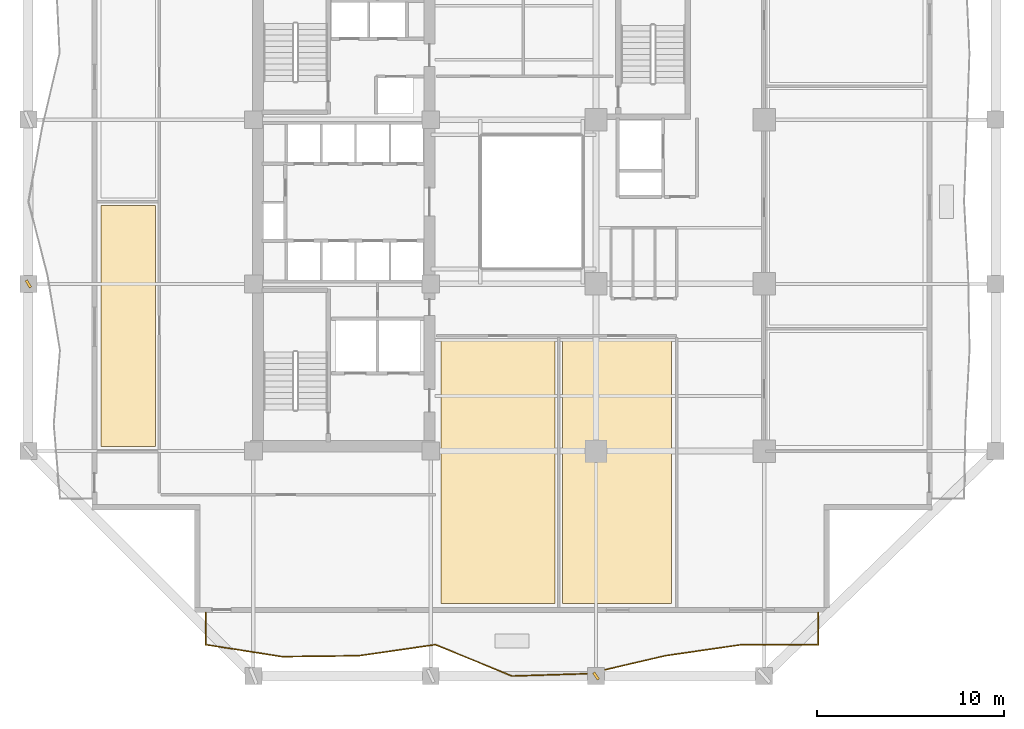
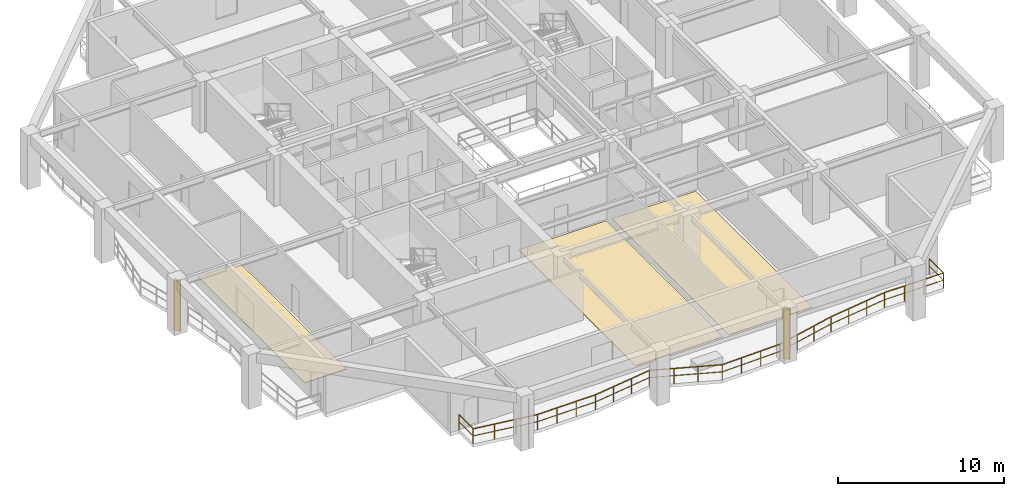
# One storey, part 7 of 12: 3 coverings, 2 shading devices, 1 railing.
"""IFC4 building model written with IfcOpenShell, lengths in metres."""

import ifcopenshell
import ifcopenshell.guid

model = None  # the IFC model being written
_history = None  # IfcOwnerHistory: only IFC2X3 demands one
_inside = {}  # id of a spatial element -> (the spatial element, [elements in it])
_under = {}  # id of a project, library or spatial element -> (it, [spatial elements below it])
_declared = {}  # id of a project -> (the project, [libraries it declares])
_typed = {}  # id of a type object -> (the type object, [elements of that type])
_made_of = {}  # id of a material, layer set ... -> (it, [elements and type objects made of it])


def new_model(schema):
    """Start an empty IFC model of exactly this schema.

    Asked for "IFC4X3", IfcOpenShell would pick the latest addendum, in which some entities
    have other attributes; the version numbers below select the first issue.
    IFC2X3 requires an IfcOwnerHistory on every rooted entity: one is made here for all.
    """
    global model, _history
    if schema == "IFC4X3":
        model = ifcopenshell.file(schema_version=(4, 3, 0, 0))
    else:
        model = ifcopenshell.file(schema=schema)
    _inside.clear()
    _under.clear()
    _declared.clear()
    _typed.clear()
    _made_of.clear()
    _history = None
    if model.schema == "IFC2X3":
        org = make("IfcOrganization", Name="unknown")
        user = make(
            "IfcPersonAndOrganization",
            ThePerson=make("IfcPerson", FamilyName="unknown"),
            TheOrganization=org,
        )
        app = make(
            "IfcApplication",
            ApplicationDeveloper=org,
            Version="unknown",
            ApplicationFullName="unknown",
            ApplicationIdentifier="unknown",
        )
        _history = make(
            "IfcOwnerHistory",
            OwningUser=user,
            OwningApplication=app,
            ChangeAction="ADDED",
            CreationDate=0,
        )
    return model


def make(cls, **values):
    """One entity of the class cls with the attributes given. An attribute that is None is left unset."""
    return model.create_entity(
        cls, **{name: value for name, value in values.items() if value is not None}
    )


def rooted(cls, **values):
    """An entity with a GlobalId (a new one), such as an element, a storey or a relation."""
    return make(cls, GlobalId=ifcopenshell.guid.new(), OwnerHistory=_history, **values)


def si_unit(unit_type, name, prefix=None):
    """IfcSIUnit, for example si_unit("LENGTHUNIT", "METRE", prefix="MILLI")."""
    return make("IfcSIUnit", UnitType=unit_type, Prefix=prefix, Name=name)


def assignment(units):
    """IfcUnitAssignment: the units of a project."""
    return None if units is None else make("IfcUnitAssignment", Units=units)


def point(xyz):
    """IfcCartesianPoint."""
    return None if xyz is None else make("IfcCartesianPoint", Coordinates=xyz)


def direction(xyz):
    """IfcDirection."""
    return None if xyz is None else make("IfcDirection", DirectionRatios=xyz)


def frame(location, z_axis=None, x_axis=None):
    """IfcAxis2Placement3D, a coordinate frame: its origin and axes. An axis left out is left unset."""
    return make(
        "IfcAxis2Placement3D",
        Location=point(location),
        Axis=direction(z_axis),
        RefDirection=direction(x_axis),
    )


def frame_2d(location, x_axis=None):
    """IfcAxis2Placement2D, a coordinate frame in the plane: its origin and x axis."""
    return make(
        "IfcAxis2Placement2D", Location=point(location), RefDirection=direction(x_axis)
    )


def origin():
    """The frame at (0, 0, 0) with its axes left unset."""
    return frame((0.0, 0.0, 0.0))


def origin_2d():
    """The frame at (0, 0) in the plane with its x axis left unset."""
    return frame_2d((0.0, 0.0))


def place(relative_to, where):
    """IfcLocalPlacement: puts the frame where relative to a parent placement (None: the world)."""
    return make(
        "IfcLocalPlacement", PlacementRelTo=relative_to, RelativePlacement=where
    )


def context(
    kind, dimensions, precision=None, world=None, true_north=None, identifier=None
):
    """IfcGeometricRepresentationContext, for example the 3D "Model" context."""
    return make(
        "IfcGeometricRepresentationContext",
        ContextIdentifier=identifier,
        ContextType=kind,
        CoordinateSpaceDimension=dimensions,
        Precision=precision,
        WorldCoordinateSystem=world,
        TrueNorth=true_north,
    )


def subcontext(parent, identifier, kind, view, scale=None):
    """IfcGeometricRepresentationSubContext, for example "Body" below "Model"."""
    return make(
        "IfcGeometricRepresentationSubContext",
        ContextIdentifier=identifier,
        ContextType=kind,
        ParentContext=parent,
        TargetScale=scale,
        TargetView=view,
    )


def project(units=None, contexts=None):
    """IfcProject with its units and contexts."""
    return rooted(
        "IfcProject",
        Name="project",
        RepresentationContexts=contexts,
        UnitsInContext=assignment(units),
    )


def spatial(cls, under=None, at=None, **own):
    """A site, building, storey or space (cls), placed at a placement, below another one or the project."""
    s = rooted(cls, ObjectPlacement=at, **own)
    if under is not None:
        _under.setdefault(under.id(), (under, []))[1].append(s)
    return s


def polyline(points):
    """IfcPolyline through the points."""
    return make("IfcPolyline", Points=[point(p) for p in points])


def profile(cls, at=None, kind="AREA", **sizes):
    """A parametric profile (cls). Its sizes go by their IFC names, for example OverallWidth=200.0."""
    return make(cls, ProfileType=kind, Position=at, **sizes)


def rectangle(**sizes):
    """IfcRectangleProfileDef."""
    return profile("IfcRectangleProfileDef", **sizes)


def outline(outer, holes=None, kind="AREA"):
    """IfcArbitraryClosedProfileDef: a profile drawn as a closed curve; with holes, ...WithVoids."""
    if holes is None:
        return make("IfcArbitraryClosedProfileDef", ProfileType=kind, OuterCurve=outer)
    return make(
        "IfcArbitraryProfileDefWithVoids",
        ProfileType=kind,
        OuterCurve=outer,
        InnerCurves=holes,
    )


def extrude(swept, where, along, depth):
    """IfcExtrudedAreaSolid: the profile swept, set in the frame where, extruded along a direction by depth."""
    return make(
        "IfcExtrudedAreaSolid",
        SweptArea=swept,
        Position=where,
        ExtrudedDirection=direction(along),
        Depth=depth,
    )


def shape(context_of_items, identifier, shape_type, items):
    """IfcShapeRepresentation: the items that make up one representation, for example the "Body"."""
    return make(
        "IfcShapeRepresentation",
        ContextOfItems=context_of_items,
        RepresentationIdentifier=identifier,
        RepresentationType=shape_type,
        Items=items,
    )


def material(Name=None, Category=None):
    """IfcMaterial."""
    return make("IfcMaterial", Name=Name, Category=Category)


def layer(
    of_material, thickness, ventilated=None, Name=None, Category=None, Priority=None
):
    """IfcMaterialLayer: one layer of a wall or slab, of a material (None: an air gap)."""
    return make(
        "IfcMaterialLayer",
        Material=of_material,
        LayerThickness=thickness,
        IsVentilated=ventilated,
        Name=Name,
        Category=Category,
        Priority=Priority,
    )


def layer_set(layers, Name=None):
    """IfcMaterialLayerSet."""
    return make("IfcMaterialLayerSet", MaterialLayers=layers, LayerSetName=Name)


def made_of(thing, what):
    """Note that an element or type object is made of a material, layer set ...; save() writes the relation."""
    if what is not None:
        _made_of.setdefault(what.id(), (what, []))[1].append(thing)
    return thing


def type_object(cls, material=None, **own):
    """A type object (cls), such as IfcWallType, which elements share."""
    return made_of(rooted(cls, **own), material)


def element(
    cls,
    number,
    at=None,
    inside=None,
    cuts=None,
    type_object=None,
    material=None,
    context=None,
    identifier="Body",
    shape_type=None,
    held_by="IfcProductDefinitionShape",
    body=None,
    shapes=None,
    **own,
):
    """One element of the class cls, such as IfcWall. Its Tag is "e" and its number.

    at: its placement. inside: the storey or other place that contains it. cuts: it is an
    opening in that element (IfcRelVoidsElement). A single representation is given by context,
    identifier, shape_type and body (its items); several are given by shapes. held_by: the class
    of the entity that holds the representations. save() writes the other relations.
    """
    e = rooted(cls, Tag="e%d" % number, ObjectPlacement=at, **own)
    if body is not None:
        shapes = [shape(context, identifier, shape_type, body)]
    if shapes is not None:
        e.Representation = make(held_by, Representations=shapes)
    if inside is not None:
        _inside.setdefault(inside.id(), (inside, []))[1].append(e)
    if cuts is not None:
        rooted(
            "IfcRelVoidsElement", RelatingBuildingElement=cuts, RelatedOpeningElement=e
        )
    if type_object is not None:
        _typed.setdefault(type_object.id(), (type_object, []))[1].append(e)
    return made_of(e, material)


def aggregate(whole, parts):
    """IfcRelAggregates: a whole, such as a stair, and the parts it consists of."""
    return rooted("IfcRelAggregates", RelatingObject=whole, RelatedObjects=parts)


def save(model, path):
    """Write the relations noted so far, then the file.

    IfcRelAggregates (storeys below a building ...), IfcRelContainedInSpatialStructure (elements
    in a storey), IfcRelDefinesByType, IfcRelAssociatesMaterial and IfcRelDeclares: one each for
    every whole, place, type object, material and project.
    """
    for whole, parts in _under.values():
        aggregate(whole, parts)
    for where, things in _inside.values():
        rooted(
            "IfcRelContainedInSpatialStructure",
            RelatedElements=things,
            RelatingStructure=where,
        )
    for kind, things in _typed.values():
        rooted("IfcRelDefinesByType", RelatedObjects=things, RelatingType=kind)
    for what, things in _made_of.values():
        rooted("IfcRelAssociatesMaterial", RelatedObjects=things, RelatingMaterial=what)
    for by, libraries in _declared.values():
        rooted("IfcRelDeclares", RelatingContext=by, RelatedDefinitions=libraries)
    model.write(path)


model = new_model("IFC4")

# Units and contexts
model_context = context("Model", 3, precision=1e-05, world=origin(), true_north=direction((0.0, 1.0)))
body_context = subcontext(model_context, "Body", "Model", "MODEL_VIEW")
ifc_project = project(units=[si_unit("LENGTHUNIT", "METRE"), si_unit("AREAUNIT", "SQUARE_METRE"), si_unit("VOLUMEUNIT", "CUBIC_METRE"), si_unit("PLANEANGLEUNIT", "RADIAN"), si_unit("MASSUNIT", "GRAM", prefix="KILO")], contexts=[model_context])

# Site, building, storey
site_placement = place(None, origin())
site = spatial("IfcSite", under=ifc_project, at=site_placement, CompositionType="ELEMENT")
building_placement = place(site_placement, origin())
building = spatial("IfcBuilding", under=site, at=building_placement, Name="Kundavana Baori Tower", CompositionType="ELEMENT")
storey_placement = place(building_placement, frame((0.0, 0.0, 46.0)))
storey = spatial("IfcBuildingStorey", under=building, at=storey_placement, Name="L10", CompositionType="ELEMENT", Elevation=46.0)

# Coverings
ifc_material_1 = material(Name="Honed Kota Stone and Terrazzo Flooring", Category="masonry")
ifc_layer_1 = layer(ifc_material_1, 0.0400390625, Name="COV-FLR-TERR-40")
ifc_layer_set_1 = layer_set([ifc_layer_1], Name="Honed Kota Stone and Terrazzo Flooring")
covering_type_1 = type_object("IfcCoveringType", Name="COV-FLR-TERR-40", PredefinedType="FLOORING", material=ifc_layer_set_1)
covering_1_placement = place(storey_placement, origin())
element("IfcCovering", 1, at=covering_1_placement, inside=storey, type_object=covering_type_1, Name="L10 Room Finished Stone Flooring 1", PredefinedType="FLOORING", context=body_context, shape_type="SweptSolid", body=[
    extrude(outline(polyline([(7.280029296875, 15.5), (10.199951171875, 15.5), (10.199951171875, 28.39990234375), (7.280029296875, 28.39990234375), (7.280029296875, 15.5)])), origin(), (0.0, 0.0, 1.0), 0.0400390625),
])
ifc_material_2 = material(Name="Honed Kota Stone and Terrazzo Flooring", Category="masonry")
ifc_layer_2 = layer(ifc_material_2, 0.030029296875, Name="COV-INT-FLR")
ifc_layer_set_2 = layer_set([ifc_layer_2], Name="Honed Kota Stone and Terrazzo Flooring")
covering_type_2 = type_object("IfcCoveringType", Name="COV-INT-FLR", PredefinedType="FLOORING", material=ifc_layer_set_2)
covering_2_placement = place(storey_placement, origin())
element("IfcCovering", 2, at=covering_2_placement, inside=storey, type_object=covering_type_2, Name="L10 Room Finished Stone Flooring 3", PredefinedType="FLOORING", context=body_context, shape_type="SweptSolid", body=[
    extrude(outline(polyline([(25.5, 7.080078125), (31.60009765625, 7.080078125), (31.60009765625, 21.199951171875), (25.5, 21.199951171875), (25.5, 7.080078125)])), origin(), (0.0, 0.0, 1.0), 0.030029296875),
])
covering_3_placement = place(storey_placement, origin())
element("IfcCovering", 3, at=covering_3_placement, inside=storey, type_object=covering_type_2, Name="L10 Room Finished Stone Flooring 4", PredefinedType="FLOORING", context=body_context, shape_type="SweptSolid", body=[
    extrude(outline(polyline([(32.0, 7.080078125), (37.840087890625, 7.080078125), (37.840087890625, 21.199951171875), (32.0, 21.199951171875), (32.0, 7.080078125)])), origin(), (0.0, 0.0, 1.0), 0.030029296875),
])

# Railing
ifc_material_3 = material(Name="Architectural Patinated Bronze Metalwork")
railing_type = type_object("IfcRailingType", Name="RL-BAL-1150", PredefinedType="BALUSTRADE", material=ifc_material_3)
railing_placement = place(storey_placement, frame((45.699951171875, 6.60009765625, 0.0)))
element("IfcRailing", 4, at=railing_placement, inside=storey, type_object=railing_type, Name="L10 Loggia Balcony Balustrade S", PredefinedType="BALUSTRADE", context=body_context, shape_type="SweptSolid", body=[
    extrude(rectangle(XDim=0.048095703125, YDim=0.048095703125, at=origin_2d()), frame((0.0, 0.0, 1.1259765625), z_axis=(0.0, -1.0, 0.0), x_axis=(1.0, 0.0, 0.0)), (0.0, 0.0, 1.0), 1.72021484375),
    extrude(rectangle(XDim=0.03125, YDim=0.03125, at=origin_2d()), frame((0.0, 0.0, 0.597900390625), z_axis=(0.0, -1.0, 0.0), x_axis=(1.0, 0.0, 0.0)), (0.0, 0.0, 1.0), 1.72021484375),
    extrude(rectangle(XDim=0.048095703125, YDim=0.048095703125, at=origin_2d()), frame((0.0, -1.72021484375, 1.1259765625), z_axis=(-1.0, 0.0, 0.0), x_axis=(0.0, -1.0, 0.0)), (0.0, 0.0, 1.0), 4.099853515625),
    extrude(rectangle(XDim=0.03125, YDim=0.03125, at=origin_2d()), frame((0.0, -1.72021484375, 0.597900390625), z_axis=(-1.0, 0.0, 0.0), x_axis=(0.0, -1.0, 0.0)), (0.0, 0.0, 1.0), 4.099853515625),
    extrude(rectangle(XDim=0.048095703125, YDim=0.048095703125, at=origin_2d()), frame((-4.099853515625, -1.72021484375, 1.1259765625), z_axis=(-0.989668235083, -0.143376373464, 0.0), x_axis=(0.143376373464, -0.989668235083, 0.0)), (0.0, 0.0, 1.0), 4.142822265625),
    extrude(rectangle(XDim=0.03125, YDim=0.03125, at=origin_2d()), frame((-4.099853515625, -1.72021484375, 0.597900390625), z_axis=(-0.989668235083, -0.143376373464, 0.0), x_axis=(0.143376373464, -0.989668235083, 0.0)), (0.0, 0.0, 1.0), 4.142822265625),
    extrude(rectangle(XDim=0.048095703125, YDim=0.048095703125, at=origin_2d()), frame((-8.199951171875, -2.314208984375, 1.1259765625), z_axis=(-0.973771877763, -0.227526548073, 0.0), x_axis=(0.227526548073, -0.973771877763, 0.0)), (0.0, 0.0, 1.0), 4.21044921875),
    extrude(rectangle(XDim=0.03125, YDim=0.03125, at=origin_2d()), frame((-8.199951171875, -2.314208984375, 0.597900390625), z_axis=(-0.973771877763, -0.227526548073, 0.0), x_axis=(0.227526548073, -0.973771877763, 0.0)), (0.0, 0.0, 1.0), 4.21044921875),
    extrude(rectangle(XDim=0.048095703125, YDim=0.048095703125, at=origin_2d()), frame((-12.300048828125, -3.272216796875, 1.1259765625), z_axis=(-0.999513526706, -0.031188297981, 0.0), x_axis=(0.031188297981, -0.999513526706, 0.0)), (0.0, 0.0, 1.0), 4.101806640625),
    extrude(rectangle(XDim=0.03125, YDim=0.03125, at=origin_2d()), frame((-12.300048828125, -3.272216796875, 0.597900390625), z_axis=(-0.999513526706, -0.031188297981, 0.0), x_axis=(0.031188297981, -0.999513526706, 0.0)), (0.0, 0.0, 1.0), 4.101806640625),
    extrude(rectangle(XDim=0.048095703125, YDim=0.048095703125, at=origin_2d()), frame((-16.39990234375, -3.400146484375, 1.1259765625), z_axis=(-0.925339682893, 0.379139118613, 0.0), x_axis=(-0.379139118613, -0.925339682893, 0.0)), (0.0, 0.0, 1.0), 4.430908203125),
    extrude(rectangle(XDim=0.03125, YDim=0.03125, at=origin_2d()), frame((-16.39990234375, -3.400146484375, 0.597900390625), z_axis=(-0.925339682893, 0.379139118613, 0.0), x_axis=(-0.379139118613, -0.925339682893, 0.0)), (0.0, 0.0, 1.0), 4.430908203125),
    extrude(rectangle(XDim=0.048095703125, YDim=0.048095703125, at=origin_2d()), frame((-20.5, -1.72021484375, 1.1259765625), z_axis=(-0.989667023568, -0.143384735803, 0.0), x_axis=(0.143384735803, -0.989667023568, 0.0)), (0.0, 0.0, 1.0), 4.142578125),
    extrude(rectangle(XDim=0.03125, YDim=0.03125, at=origin_2d()), frame((-20.5, -1.72021484375, 0.597900390625), z_axis=(-0.989667023568, -0.143384735803, 0.0), x_axis=(0.143384735803, -0.989667023568, 0.0)), (0.0, 0.0, 1.0), 4.142578125),
    extrude(rectangle(XDim=0.048095703125, YDim=0.048095703125, at=origin_2d()), frame((-24.599853515625, -2.314208984375, 1.1259765625), z_axis=(-0.999929095221, -0.011908170718, 0.0), x_axis=(0.011908170718, -0.999929095221, 0.0)), (0.0, 0.0, 1.0), 4.100341796875),
    extrude(rectangle(XDim=0.03125, YDim=0.03125, at=origin_2d()), frame((-24.599853515625, -2.314208984375, 0.597900390625), z_axis=(-0.999929095221, -0.011908170718, 0.0), x_axis=(0.011908170718, -0.999929095221, 0.0)), (0.0, 0.0, 1.0), 4.100341796875),
    extrude(rectangle(XDim=0.048095703125, YDim=0.048095703125, at=origin_2d()), frame((-28.699951171875, -2.363037109375, 1.1259765625), z_axis=(-0.987931708029, 0.15489009094, 0.0), x_axis=(-0.15489009094, -0.987931708029, 0.0)), (0.0, 0.0, 1.0), 4.150146484375),
    extrude(rectangle(XDim=0.03125, YDim=0.03125, at=origin_2d()), frame((-28.699951171875, -2.363037109375, 0.597900390625), z_axis=(-0.987931708029, 0.15489009094, 0.0), x_axis=(-0.15489009094, -0.987931708029, 0.0)), (0.0, 0.0, 1.0), 4.150146484375),
    extrude(rectangle(XDim=0.048095703125, YDim=0.048095703125, at=origin_2d()), frame((-32.800048828125, -1.72021484375, 1.1259765625), z_axis=(0.0, 1.0, 0.0), x_axis=(-1.0, 0.0, 0.0)), (0.0, 0.0, 1.0), 1.72021484375),
    extrude(rectangle(XDim=0.03125, YDim=0.03125, at=origin_2d()), frame((-32.800048828125, -1.72021484375, 0.597900390625), z_axis=(0.0, 1.0, 0.0), x_axis=(-1.0, 0.0, 0.0)), (0.0, 0.0, 1.0), 1.72021484375),
    extrude(rectangle(XDim=0.0419921875, YDim=0.0419921875, at=origin_2d()), origin(), (0.0, 0.0, 1.0), 1.101806640625),
    extrude(rectangle(XDim=0.0419921875, YDim=0.0419921875, at=origin_2d()), frame((0.0, -1.72021484375, 0.0)), (0.0, 0.0, 1.0), 1.101806640625),
    extrude(rectangle(XDim=0.0419921875, YDim=0.0419921875, at=origin_2d()), frame((-1.36669921875, -1.72021484375, 0.0)), (0.0, 0.0, 1.0), 1.101806640625),
    extrude(rectangle(XDim=0.0419921875, YDim=0.0419921875, at=origin_2d()), frame((-2.733154296875, -1.72021484375, 0.0)), (0.0, 0.0, 1.0), 1.101806640625),
    extrude(rectangle(XDim=0.0419921875, YDim=0.0419921875, at=origin_2d()), frame((-4.099853515625, -1.72021484375, 0.0)), (0.0, 0.0, 1.0), 1.101806640625),
    extrude(rectangle(XDim=0.0419921875, YDim=0.0419921875, at=origin_2d()), frame((-5.466552734375, -1.918212890625, 0.0)), (0.0, 0.0, 1.0), 1.101806640625),
    extrude(rectangle(XDim=0.0419921875, YDim=0.0419921875, at=origin_2d()), frame((-6.833251953125, -2.1162109375, 0.0)), (0.0, 0.0, 1.0), 1.101806640625),
    extrude(rectangle(XDim=0.0419921875, YDim=0.0419921875, at=origin_2d()), frame((-8.199951171875, -2.314208984375, 0.0)), (0.0, 0.0, 1.0), 1.101806640625),
    extrude(rectangle(XDim=0.0419921875, YDim=0.0419921875, at=origin_2d()), frame((-9.566650390625, -2.633544921875, 0.0)), (0.0, 0.0, 1.0), 1.101806640625),
    extrude(rectangle(XDim=0.0419921875, YDim=0.0419921875, at=origin_2d()), frame((-10.933349609375, -2.952880859375, 0.0)), (0.0, 0.0, 1.0), 1.101806640625),
    extrude(rectangle(XDim=0.0419921875, YDim=0.0419921875, at=origin_2d()), frame((-12.300048828125, -3.272216796875, 0.0)), (0.0, 0.0, 1.0), 1.101806640625),
    extrude(rectangle(XDim=0.0419921875, YDim=0.0419921875, at=origin_2d()), frame((-13.666748046875, -3.31494140625, 0.0)), (0.0, 0.0, 1.0), 1.101806640625),
    extrude(rectangle(XDim=0.0419921875, YDim=0.0419921875, at=origin_2d()), frame((-15.033203125, -3.357421875, 0.0)), (0.0, 0.0, 1.0), 1.101806640625),
    extrude(rectangle(XDim=0.0419921875, YDim=0.0419921875, at=origin_2d()), frame((-16.39990234375, -3.400146484375, 0.0)), (0.0, 0.0, 1.0), 1.101806640625),
    extrude(rectangle(XDim=0.0419921875, YDim=0.0419921875, at=origin_2d()), frame((-17.7666015625, -2.840087890625, 0.0)), (0.0, 0.0, 1.0), 1.101806640625),
    extrude(rectangle(XDim=0.0419921875, YDim=0.0419921875, at=origin_2d()), frame((-19.13330078125, -2.2802734375, 0.0)), (0.0, 0.0, 1.0), 1.101806640625),
    extrude(rectangle(XDim=0.0419921875, YDim=0.0419921875, at=origin_2d()), frame((-20.5, -1.72021484375, 0.0)), (0.0, 0.0, 1.0), 1.101806640625),
    extrude(rectangle(XDim=0.0419921875, YDim=0.0419921875, at=origin_2d()), frame((-21.86669921875, -1.918212890625, 0.0)), (0.0, 0.0, 1.0), 1.101806640625),
    extrude(rectangle(XDim=0.0419921875, YDim=0.0419921875, at=origin_2d()), frame((-23.233154296875, -2.1162109375, 0.0)), (0.0, 0.0, 1.0), 1.101806640625),
    extrude(rectangle(XDim=0.0419921875, YDim=0.0419921875, at=origin_2d()), frame((-24.599853515625, -2.314208984375, 0.0)), (0.0, 0.0, 1.0), 1.101806640625),
    extrude(rectangle(XDim=0.0419921875, YDim=0.0419921875, at=origin_2d()), frame((-25.966552734375, -2.33056640625, 0.0)), (0.0, 0.0, 1.0), 1.101806640625),
    extrude(rectangle(XDim=0.0419921875, YDim=0.0419921875, at=origin_2d()), frame((-27.333251953125, -2.3466796875, 0.0)), (0.0, 0.0, 1.0), 1.101806640625),
    extrude(rectangle(XDim=0.0419921875, YDim=0.0419921875, at=origin_2d()), frame((-28.699951171875, -2.363037109375, 0.0)), (0.0, 0.0, 1.0), 1.101806640625),
    extrude(rectangle(XDim=0.0419921875, YDim=0.0419921875, at=origin_2d()), frame((-30.066650390625, -2.148681640625, 0.0)), (0.0, 0.0, 1.0), 1.101806640625),
    extrude(rectangle(XDim=0.0419921875, YDim=0.0419921875, at=origin_2d()), frame((-31.433349609375, -1.9345703125, 0.0)), (0.0, 0.0, 1.0), 1.101806640625),
    extrude(rectangle(XDim=0.0419921875, YDim=0.0419921875, at=origin_2d()), frame((-32.800048828125, -1.72021484375, 0.0)), (0.0, 0.0, 1.0), 1.101806640625),
    extrude(rectangle(XDim=0.0419921875, YDim=0.0419921875, at=origin_2d()), frame((-32.800048828125, 0.0, 0.0)), (0.0, 0.0, 1.0), 1.101806640625),
])

# Shading devices
ifc_material_4 = material(Name="Architectural Patinated Bronze Metalwork")
shading_device_type = type_object("IfcShadingDeviceType", Name="SHD-LOUV-450", PredefinedType="SHUTTER", material=ifc_material_4)
for number, where, z_axis, x_axis, name in (
    (5, (33.800048828125, 3.199951171875, 0.0), (0.0, 0.0, 1.0), (0.827570769564, 0.561361399958, 0.0), "L10 Sweeping Dholpur Sandstone Facade Fin 3"),
    (6, (3.39990234375, 24.199951171875, 0.0), (0.0, 0.0, 1.0), (0.854911870673, 0.518773258161, 0.0), "L10 Sweeping Dholpur Sandstone Facade Fin 6"),
):
    element("IfcShadingDevice", number, at=place(storey_placement, frame(where, z_axis=z_axis, x_axis=x_axis)), inside=storey, type_object=shading_device_type, Name=name, PredefinedType="SHUTTER", context=body_context, shape_type="SweptSolid", body=[
        extrude(rectangle(XDim=0.139892578125, YDim=0.449951171875, at=origin_2d()), origin(), (0.0, 0.0, 1.0), 3.719970703125),
    ])

save(model, "model.ifc")
